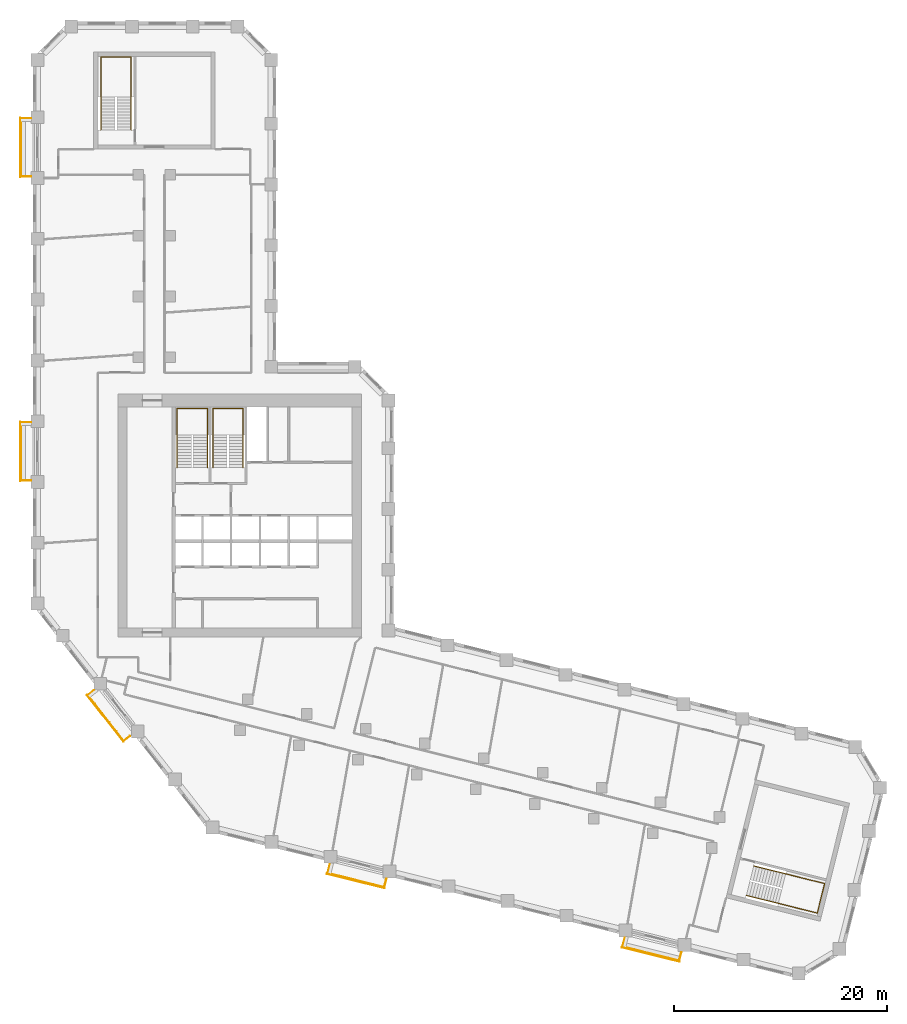
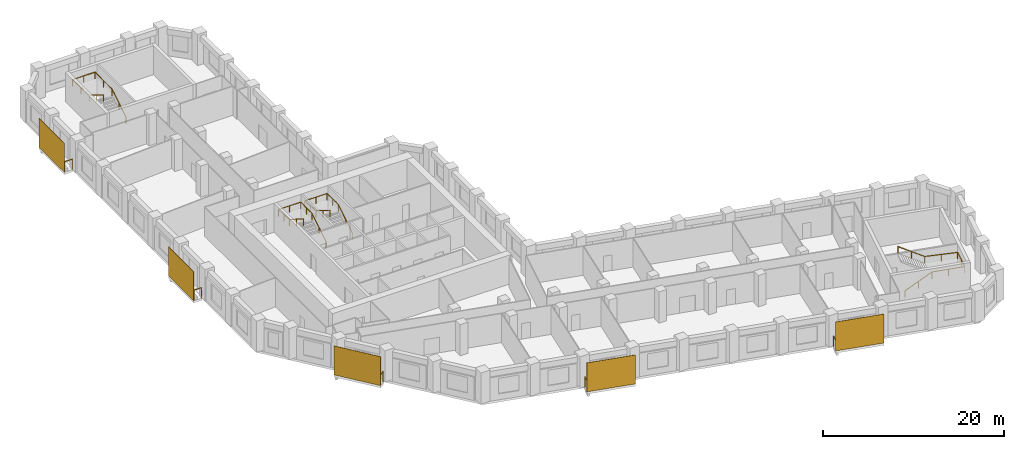
# One storey, part 10 of 10: 9 railings, 5 shading devices.
"""IFC4 building model written with IfcOpenShell, lengths in metres."""

from ifc_helpers import new_model, si_unit, direction, frame, origin, origin_2d, place, context, subcontext, project, spatial, rectangle, circle, extrude, material, layer, layer_set, type_object, element, save


model = new_model("IFC4")

# Units and contexts
model_context = context("Model", 3, precision=1e-05, world=origin(), true_north=direction((0.0, 1.0)))
body_context = subcontext(model_context, "Body", "Model", "MODEL_VIEW")
ifc_project = project(units=[si_unit("LENGTHUNIT", "METRE"), si_unit("AREAUNIT", "SQUARE_METRE"), si_unit("VOLUMEUNIT", "CUBIC_METRE"), si_unit("PLANEANGLEUNIT", "RADIAN"), si_unit("MASSUNIT", "GRAM", prefix="KILO")], contexts=[model_context])

# Site, building, storey
site_placement = place(None, origin())
site = spatial("IfcSite", under=ifc_project, at=site_placement, CompositionType="ELEMENT")
building_placement = place(site_placement, origin())
building = spatial("IfcBuilding", under=site, at=building_placement, Name="Meshkara Civic Tower", CompositionType="ELEMENT")
storey_placement = place(building_placement, frame((0.0, 0.0, 199.199951171875)))
storey = spatial("IfcBuildingStorey", under=building, at=storey_placement, Name="L45", CompositionType="ELEMENT", Elevation=199.199951171875)

# Railings
ifc_material_1 = material(Name="Steel S355", Category="steel")
railing_type_1 = type_object("IfcRailingType", Name="BALUSTRADE GUARD 1400", PredefinedType="BALUSTRADE", material=ifc_material_1)
for number, where, name in (
    (1, (-0.14990234375, 62.735107421875, 0.0), "Balcony guard"),
    (2, (-0.14990234375, 34.235107421875, 0.0), "Balcony guard"),
):
    element("IfcRailing", number, at=place(storey_placement, frame(where)), inside=storey, type_object=railing_type_1, Name=name, PredefinedType="BALUSTRADE", context=body_context, shape_type="SweptSolid", body=[
        extrude(circle(Radius=0.02392578125, at=origin_2d()), frame((0.0, 0.0, 1.3759765625), z_axis=(-1.0, 0.0, 0.0), x_axis=(0.0, -1.0, 0.0)), (0.0, 0.0, 1.0), 0.960205078125),
        extrude(circle(Radius=0.02392578125, at=origin_2d()), frame((-0.960205078125, 0.0, 1.3759765625), z_axis=(0.0, -1.0, 0.0), x_axis=(1.0, 0.0, 0.0)), (0.0, 0.0, 1.0), 5.460205078125),
        extrude(circle(Radius=0.02392578125, at=origin_2d()), frame((-0.960205078125, -5.460205078125, 1.3759765625), z_axis=(1.0, 0.0, 0.0), x_axis=(0.0, 1.0, 0.0)), (0.0, 0.0, 1.0), 0.960205078125),
        extrude(circle(Radius=0.02099609375, at=origin_2d()), origin(), (0.0, 0.0, 1.0), 1.351806640625),
        extrude(circle(Radius=0.02099609375, at=origin_2d()), frame((-0.960205078125, 0.0, 0.0)), (0.0, 0.0, 1.0), 1.351806640625),
        extrude(circle(Radius=0.02099609375, at=origin_2d()), frame((-0.960205078125, -1.092041015625, 0.0)), (0.0, 0.0, 1.0), 1.351806640625),
        extrude(circle(Radius=0.02099609375, at=origin_2d()), frame((-0.960205078125, -2.18408203125, 0.0)), (0.0, 0.0, 1.0), 1.351806640625),
        extrude(circle(Radius=0.02099609375, at=origin_2d()), frame((-0.960205078125, -3.276123046875, 0.0)), (0.0, 0.0, 1.0), 1.351806640625),
        extrude(circle(Radius=0.02099609375, at=origin_2d()), frame((-0.960205078125, -4.3681640625, 0.0)), (0.0, 0.0, 1.0), 1.351806640625),
        extrude(circle(Radius=0.02099609375, at=origin_2d()), frame((-0.960205078125, -5.460205078125, 0.0)), (0.0, 0.0, 1.0), 1.351806640625),
        extrude(circle(Radius=0.02099609375, at=origin_2d()), frame((0.0, -5.460205078125, 0.0)), (0.0, 0.0, 1.0), 1.351806640625),
    ])
railing_1_placement = place(storey_placement, frame((5.73388671875, 9.1240234375, 0.0)))
element("IfcRailing", 3, at=railing_1_placement, inside=storey, type_object=railing_type_1, Name="Balcony guard", PredefinedType="BALUSTRADE", context=body_context, shape_type="SweptSolid", body=[
    extrude(circle(Radius=0.02392578125, at=origin_2d()), frame((0.0, 0.0, 1.3759765625), z_axis=(-0.788014065721, -0.615657235989, 0.0), x_axis=(0.615657235989, -0.788014065721, 0.0)), (0.0, 0.0, 1.0), 0.71826171875),
    extrude(circle(Radius=0.02392578125, at=origin_2d()), frame((-0.56591796875, -0.442138671875, 1.3759765625), z_axis=(0.615684818606, -0.787992515281, 0.0), x_axis=(0.787992515281, 0.615684818606, 0.0)), (0.0, 0.0, 1.0), 5.460693359375),
    extrude(circle(Radius=0.02392578125, at=origin_2d()), frame((2.796142578125, -4.7451171875, 1.3759765625), z_axis=(0.788014065721, 0.615657235989, 0.0), x_axis=(-0.615657235989, 0.788014065721, 0.0)), (0.0, 0.0, 1.0), 0.71826171875),
    extrude(circle(Radius=0.02099609375, at=origin_2d()), origin(), (0.0, 0.0, 1.0), 1.351806640625),
    extrude(circle(Radius=0.02099609375, at=origin_2d()), frame((-0.56591796875, -0.442138671875, 0.0)), (0.0, 0.0, 1.0), 1.351806640625),
    extrude(circle(Radius=0.02099609375, at=origin_2d()), frame((0.1064453125, -1.302734375, 0.0)), (0.0, 0.0, 1.0), 1.351806640625),
    extrude(circle(Radius=0.02099609375, at=origin_2d()), frame((0.77880859375, -2.163330078125, 0.0)), (0.0, 0.0, 1.0), 1.351806640625),
    extrude(circle(Radius=0.02099609375, at=origin_2d()), frame((1.451416015625, -3.02392578125, 0.0)), (0.0, 0.0, 1.0), 1.351806640625),
    extrude(circle(Radius=0.02099609375, at=origin_2d()), frame((2.123779296875, -3.884521484375, 0.0)), (0.0, 0.0, 1.0), 1.351806640625),
    extrude(circle(Radius=0.02099609375, at=origin_2d()), frame((2.796142578125, -4.7451171875, 0.0)), (0.0, 0.0, 1.0), 1.351806640625),
    extrude(circle(Radius=0.02099609375, at=origin_2d()), frame((3.362060546875, -4.302978515625, 0.0)), (0.0, 0.0, 1.0), 1.351806640625),
])
railing_2_placement = place(storey_placement, frame((27.85302734375, -7.22998046875, 0.0)))
element("IfcRailing", 4, at=railing_2_placement, inside=storey, type_object=railing_type_1, Name="Balcony guard", PredefinedType="BALUSTRADE", context=body_context, shape_type="SweptSolid", body=[
    extrude(circle(Radius=0.02392578125, at=origin_2d()), frame((0.0, 0.0, 1.3759765625), z_axis=(-0.242673544463, -0.970108009872, 0.0), x_axis=(0.970108009872, -0.242673544463, 0.0)), (0.0, 0.0, 1.0), 0.8330078125),
    extrude(circle(Radius=0.02392578125, at=origin_2d()), frame((-0.2021484375, -0.80810546875, 1.3759765625), z_axis=(0.970302726319, -0.241893818229, 0.0), x_axis=(0.241893818229, 0.970302726319, 0.0)), (0.0, 0.0, 1.0), 5.460205078125),
    extrude(circle(Radius=0.02392578125, at=origin_2d()), frame((5.095947265625, -2.12890625, 1.3759765625), z_axis=(0.242466638965, 0.970159744057, 0.0), x_axis=(-0.970159744057, 0.242466638965, 0.0)), (0.0, 0.0, 1.0), 0.832763671875),
    extrude(circle(Radius=0.02099609375, at=origin_2d()), origin(), (0.0, 0.0, 1.0), 1.351806640625),
    extrude(circle(Radius=0.02099609375, at=origin_2d()), frame((-0.2021484375, -0.80810546875, 0.0)), (0.0, 0.0, 1.0), 1.351806640625),
    extrude(circle(Radius=0.02099609375, at=origin_2d()), frame((0.857421875, -1.072265625, 0.0)), (0.0, 0.0, 1.0), 1.351806640625),
    extrude(circle(Radius=0.02099609375, at=origin_2d()), frame((1.9169921875, -1.33642578125, 0.0)), (0.0, 0.0, 1.0), 1.351806640625),
    extrude(circle(Radius=0.02099609375, at=origin_2d()), frame((2.976806640625, -1.6005859375, 0.0)), (0.0, 0.0, 1.0), 1.351806640625),
    extrude(circle(Radius=0.02099609375, at=origin_2d()), frame((4.036376953125, -1.86474609375, 0.0)), (0.0, 0.0, 1.0), 1.351806640625),
    extrude(circle(Radius=0.02099609375, at=origin_2d()), frame((5.095947265625, -2.12890625, 0.0)), (0.0, 0.0, 1.0), 1.351806640625),
    extrude(circle(Radius=0.02099609375, at=origin_2d()), frame((5.2978515625, -1.321044921875, 0.0)), (0.0, 0.0, 1.0), 1.351806640625),
])
railing_3_placement = place(storey_placement, frame((55.506103515625, -14.125, 0.0)))
element("IfcRailing", 5, at=railing_3_placement, inside=storey, type_object=railing_type_1, Name="Balcony guard", PredefinedType="BALUSTRADE", context=body_context, shape_type="SweptSolid", body=[
    extrude(circle(Radius=0.02392578125, at=origin_2d()), frame((0.0, 0.0, 1.3759765625), z_axis=(-0.241569777604, -0.970383451296, 0.0), x_axis=(0.970383451296, -0.241569777604, 0.0)), (0.0, 0.0, 1.0), 0.832763671875),
    extrude(circle(Radius=0.02392578125, at=origin_2d()), frame((-0.201171875, -0.80810546875, 1.3759765625), z_axis=(0.970302726319, -0.241893818229, 0.0), x_axis=(0.241893818229, 0.970302726319, 0.0)), (0.0, 0.0, 1.0), 5.460205078125),
    extrude(circle(Radius=0.02392578125, at=origin_2d()), frame((5.096923828125, -2.12890625, 1.3759765625), z_axis=(0.242466638965, 0.970159744057, 0.0), x_axis=(-0.970159744057, 0.242466638965, 0.0)), (0.0, 0.0, 1.0), 0.832763671875),
    extrude(circle(Radius=0.02099609375, at=origin_2d()), origin(), (0.0, 0.0, 1.0), 1.351806640625),
    extrude(circle(Radius=0.02099609375, at=origin_2d()), frame((-0.201171875, -0.80810546875, 0.0)), (0.0, 0.0, 1.0), 1.351806640625),
    extrude(circle(Radius=0.02099609375, at=origin_2d()), frame((0.8583984375, -1.072265625, 0.0)), (0.0, 0.0, 1.0), 1.351806640625),
    extrude(circle(Radius=0.02099609375, at=origin_2d()), frame((1.91796875, -1.33642578125, 0.0)), (0.0, 0.0, 1.0), 1.351806640625),
    extrude(circle(Radius=0.02099609375, at=origin_2d()), frame((2.977783203125, -1.6005859375, 0.0)), (0.0, 0.0, 1.0), 1.351806640625),
    extrude(circle(Radius=0.02099609375, at=origin_2d()), frame((4.037353515625, -1.86474609375, 0.0)), (0.0, 0.0, 1.0), 1.351806640625),
    extrude(circle(Radius=0.02099609375, at=origin_2d()), frame((5.096923828125, -2.12890625, 0.0)), (0.0, 0.0, 1.0), 1.351806640625),
    extrude(circle(Radius=0.02099609375, at=origin_2d()), frame((5.298828125, -1.321044921875, 0.0)), (0.0, 0.0, 1.0), 1.351806640625),
])

# Shading devices
ifc_material_2 = material(Name="Perforated bronze anodised aluminium sheet", Category="aluminium")
ifc_layer = layer(ifc_material_2, 0.0400390625)
ifc_layer_set = layer_set([ifc_layer], Name="PERFORATED BRONZE SCREEN")
shading_device_type = type_object("IfcShadingDeviceType", Name="PERFORATED BRONZE SCREEN", PredefinedType="USERDEFINED", material=ifc_layer_set)
for number, where, z_axis, x_axis, name in (
    (6, (-1.179931640625, 60.0048828125, 0.0), (0.0, 0.0, 1.0), (0.0, -1.0, 0.0), "Balcony screen"),
    (7, (-1.179931640625, 31.5048828125, 0.0), (0.0, 0.0, 1.0), (0.0, -1.0, 0.0), "Balcony screen"),
):
    element("IfcShadingDevice", number, at=place(storey_placement, frame(where, z_axis=z_axis, x_axis=x_axis)), inside=storey, type_object=shading_device_type, Name=name, ObjectType="SCREEN", PredefinedType="USERDEFINED", context=body_context, shape_type="SweptSolid", body=[
        extrude(rectangle(XDim=5.580078125, YDim=0.0400390625, at=origin_2d()), origin(), (0.0, 0.0, 1.0), 3.89990234375),
    ])
shading_device_placement = place(storey_placement, frame((6.7939453125, 6.488037109375, 0.0), z_axis=(0.0, 0.0, 1.0), x_axis=(0.615661475326, -0.788010753607, 0.0)))
element("IfcShadingDevice", 8, at=shading_device_placement, inside=storey, type_object=shading_device_type, Name="Balcony screen", ObjectType="SCREEN", PredefinedType="USERDEFINED", context=body_context, shape_type="SweptSolid", body=[
    extrude(rectangle(XDim=5.5810546875, YDim=0.0400390625, at=origin_2d()), origin(), (0.0, 0.0, 1.0), 3.89990234375),
])
for number, where, z_axis, x_axis, name in (
    (9, (30.282958984375, -8.76708984375, 0.0), (0.0, 0.0, 1.0), (0.970299948462, -0.241904960708, 0.0), "Balcony screen"),
    (10, (57.93701171875, -15.660888671875, 0.0), (0.0, 0.0, 1.0), (0.970299948462, -0.241904960708, 0.0), "Balcony screen"),
):
    element("IfcShadingDevice", number, at=place(storey_placement, frame(where, z_axis=z_axis, x_axis=x_axis)), inside=storey, type_object=shading_device_type, Name=name, ObjectType="SCREEN", PredefinedType="USERDEFINED", context=body_context, shape_type="SweptSolid", body=[
        extrude(rectangle(XDim=5.580078125, YDim=0.0400390625, at=origin_2d()), origin(), (0.0, 0.0, 1.0), 3.89990234375),
    ])

# Railings
ifc_material_3 = material(Name="Steel handrail", Category="steel")
railing_type_2 = type_object("IfcRailingType", Name="Stair handrail 900", PredefinedType="HANDRAIL", material=ifc_material_3)
railing_4_placement = place(storey_placement, frame((16.375, 30.0, 0.175048828125)))
element("IfcRailing", 11, at=railing_4_placement, inside=storey, type_object=railing_type_2, Name="L45 ST1 stair handrail 1", PredefinedType="HANDRAIL", context=body_context, shape_type="SweptSolid", body=[
    extrude(circle(Radius=0.02392578125, at=origin_2d()), frame((0.0, 0.0, 0.8759765625), z_axis=(0.0, 0.847998304005, 0.529998940003), x_axis=(-1.0, 0.0, 0.0)), (0.0, 0.0, 1.0), 3.632080078125),
    extrude(circle(Radius=0.02392578125, at=origin_2d()), frame((0.0, 3.080078125, 2.80078125), z_axis=(0.0, 1.0, 0.0), x_axis=(-1.0, 0.0, 0.0)), (0.0, 0.0, 1.0), 2.469970703125),
    extrude(circle(Radius=0.02392578125, at=origin_2d()), frame((0.0, 5.550048828125, 2.80078125), z_axis=(-1.0, 0.0, 0.0), x_axis=(0.0, -1.0, 0.0)), (0.0, 0.0, 1.0), 2.85009765625),
    extrude(circle(Radius=0.02392578125, at=origin_2d()), frame((-2.85009765625, 5.550048828125, 2.80078125), z_axis=(0.0, -0.997498084828, 0.070693498747), x_axis=(1.0, 0.0, 0.0)), (0.0, 0.0, 1.0), 2.47607421875),
    extrude(circle(Radius=0.02392578125, at=origin_2d()), frame((-2.85009765625, 3.080078125, 2.97607421875), z_axis=(0.0, -0.848028513186, 0.529950602248), x_axis=(1.0, 0.0, 0.0)), (0.0, 0.0, 1.0), 3.632080078125),
    extrude(circle(Radius=0.02099609375, at=origin_2d()), origin(), (0.0, 0.0, 1.0), 0.851806640625),
    extrude(circle(Radius=0.02099609375, at=origin_2d()), frame((0.0, 1.5400390625, 0.96240234375)), (0.0, 0.0, 1.0), 0.851806640625),
    extrude(circle(Radius=0.02099609375, at=origin_2d()), frame((0.0, 3.080078125, 1.925048828125)), (0.0, 0.0, 1.0), 0.851806640625),
    extrude(circle(Radius=0.02099609375, at=origin_2d()), frame((0.0, 4.31494140625, 1.925048828125)), (0.0, 0.0, 1.0), 0.851806640625),
    extrude(circle(Radius=0.02099609375, at=origin_2d()), frame((0.0, 5.550048828125, 1.925048828125)), (0.0, 0.0, 1.0), 0.851806640625),
    extrude(circle(Radius=0.02099609375, at=origin_2d()), frame((-1.425048828125, 5.550048828125, 1.925048828125)), (0.0, 0.0, 1.0), 0.851806640625),
    extrude(circle(Radius=0.02099609375, at=origin_2d()), frame((-2.85009765625, 5.550048828125, 1.925048828125)), (0.0, 0.0, 1.0), 0.851806640625),
    extrude(circle(Radius=0.02099609375, at=origin_2d()), frame((-2.85009765625, 4.31494140625, 2.0126953125)), (0.0, 0.0, 1.0), 0.851806640625),
    extrude(circle(Radius=0.02099609375, at=origin_2d()), frame((-2.85009765625, 3.080078125, 2.10009765625)), (0.0, 0.0, 1.0), 0.851806640625),
    extrude(circle(Radius=0.02099609375, at=origin_2d()), frame((-2.85009765625, 1.5400390625, 3.0625)), (0.0, 0.0, 1.0), 0.851806640625),
    extrude(circle(Radius=0.02099609375, at=origin_2d()), frame((-2.85009765625, 0.0, 4.02490234375)), (0.0, 0.0, 1.0), 0.851806640625),
])
railing_5_placement = place(storey_placement, frame((19.72509765625, 30.0, 0.175048828125)))
element("IfcRailing", 12, at=railing_5_placement, inside=storey, type_object=railing_type_2, Name="L45 ST2 stair handrail 1", PredefinedType="HANDRAIL", context=body_context, shape_type="SweptSolid", body=[
    extrude(circle(Radius=0.02392578125, at=origin_2d()), frame((0.0, 0.0, 0.8759765625), z_axis=(0.0, 0.847998304005, 0.529998940003), x_axis=(-1.0, 0.0, 0.0)), (0.0, 0.0, 1.0), 3.632080078125),
    extrude(circle(Radius=0.02392578125, at=origin_2d()), frame((0.0, 3.080078125, 2.80078125), z_axis=(0.0, 1.0, 0.0), x_axis=(-1.0, 0.0, 0.0)), (0.0, 0.0, 1.0), 2.469970703125),
    extrude(circle(Radius=0.02392578125, at=origin_2d()), frame((0.0, 5.550048828125, 2.80078125), z_axis=(-1.0, 0.0, 0.0), x_axis=(0.0, -1.0, 0.0)), (0.0, 0.0, 1.0), 2.85009765625),
    extrude(circle(Radius=0.02392578125, at=origin_2d()), frame((-2.85009765625, 5.550048828125, 2.80078125), z_axis=(0.0, -0.997498084828, 0.070693498747), x_axis=(1.0, 0.0, 0.0)), (0.0, 0.0, 1.0), 2.47607421875),
    extrude(circle(Radius=0.02392578125, at=origin_2d()), frame((-2.85009765625, 3.080078125, 2.97607421875), z_axis=(0.0, -0.848028513186, 0.529950602248), x_axis=(1.0, 0.0, 0.0)), (0.0, 0.0, 1.0), 3.632080078125),
    extrude(circle(Radius=0.02099609375, at=origin_2d()), origin(), (0.0, 0.0, 1.0), 0.851806640625),
    extrude(circle(Radius=0.02099609375, at=origin_2d()), frame((0.0, 1.5400390625, 0.96240234375)), (0.0, 0.0, 1.0), 0.851806640625),
    extrude(circle(Radius=0.02099609375, at=origin_2d()), frame((0.0, 3.080078125, 1.925048828125)), (0.0, 0.0, 1.0), 0.851806640625),
    extrude(circle(Radius=0.02099609375, at=origin_2d()), frame((0.0, 4.31494140625, 1.925048828125)), (0.0, 0.0, 1.0), 0.851806640625),
    extrude(circle(Radius=0.02099609375, at=origin_2d()), frame((0.0, 5.550048828125, 1.925048828125)), (0.0, 0.0, 1.0), 0.851806640625),
    extrude(circle(Radius=0.02099609375, at=origin_2d()), frame((-1.425048828125, 5.550048828125, 1.925048828125)), (0.0, 0.0, 1.0), 0.851806640625),
    extrude(circle(Radius=0.02099609375, at=origin_2d()), frame((-2.85009765625, 5.550048828125, 1.925048828125)), (0.0, 0.0, 1.0), 0.851806640625),
    extrude(circle(Radius=0.02099609375, at=origin_2d()), frame((-2.85009765625, 4.31494140625, 2.0126953125)), (0.0, 0.0, 1.0), 0.851806640625),
    extrude(circle(Radius=0.02099609375, at=origin_2d()), frame((-2.85009765625, 3.080078125, 2.10009765625)), (0.0, 0.0, 1.0), 0.851806640625),
    extrude(circle(Radius=0.02099609375, at=origin_2d()), frame((-2.85009765625, 1.5400390625, 3.0625)), (0.0, 0.0, 1.0), 0.851806640625),
    extrude(circle(Radius=0.02099609375, at=origin_2d()), frame((-2.85009765625, 0.0, 4.02490234375)), (0.0, 0.0, 1.0), 0.851806640625),
])
railing_6_placement = place(storey_placement, frame((9.22509765625, 61.669921875, 0.175048828125)))
element("IfcRailing", 13, at=railing_6_placement, inside=storey, type_object=railing_type_2, Name="L45 ESA3 stair handrail 1", PredefinedType="HANDRAIL", context=body_context, shape_type="SweptSolid", body=[
    extrude(circle(Radius=0.02392578125, at=origin_2d()), frame((0.0, 0.0, 0.8759765625), z_axis=(0.0, 0.847998304005, 0.529998940003), x_axis=(-1.0, 0.0, 0.0)), (0.0, 0.0, 1.0), 3.632080078125),
    extrude(circle(Radius=0.02392578125, at=origin_2d()), frame((0.0, 3.080078125, 2.80078125), z_axis=(0.0, 1.0, 0.0), x_axis=(-1.0, 0.0, 0.0)), (0.0, 0.0, 1.0), 3.77001953125),
    extrude(circle(Radius=0.02392578125, at=origin_2d()), frame((0.0, 6.85009765625, 2.80078125), z_axis=(-1.0, 0.0, 0.0), x_axis=(0.0, -1.0, 0.0)), (0.0, 0.0, 1.0), 2.85009765625),
    extrude(circle(Radius=0.02392578125, at=origin_2d()), frame((-2.85009765625, 6.85009765625, 2.80078125), z_axis=(0.0, -0.9989237834, 0.046381838667), x_axis=(1.0, 0.0, 0.0)), (0.0, 0.0, 1.0), 3.774169921875),
    extrude(circle(Radius=0.02392578125, at=origin_2d()), frame((-2.85009765625, 3.080078125, 2.97607421875), z_axis=(0.0, -0.848028513186, 0.529950602248), x_axis=(1.0, 0.0, 0.0)), (0.0, 0.0, 1.0), 3.632080078125),
    extrude(circle(Radius=0.02099609375, at=origin_2d()), origin(), (0.0, 0.0, 1.0), 0.851806640625),
    extrude(circle(Radius=0.02099609375, at=origin_2d()), frame((0.0, 1.5400390625, 0.96240234375)), (0.0, 0.0, 1.0), 0.851806640625),
    extrude(circle(Radius=0.02099609375, at=origin_2d()), frame((0.0, 3.080078125, 1.925048828125)), (0.0, 0.0, 1.0), 0.851806640625),
    extrude(circle(Radius=0.02099609375, at=origin_2d()), frame((0.0, 4.965087890625, 1.925048828125)), (0.0, 0.0, 1.0), 0.851806640625),
    extrude(circle(Radius=0.02099609375, at=origin_2d()), frame((0.0, 6.85009765625, 1.925048828125)), (0.0, 0.0, 1.0), 0.851806640625),
    extrude(circle(Radius=0.02099609375, at=origin_2d()), frame((-1.425048828125, 6.85009765625, 1.925048828125)), (0.0, 0.0, 1.0), 0.851806640625),
    extrude(circle(Radius=0.02099609375, at=origin_2d()), frame((-2.85009765625, 6.85009765625, 1.925048828125)), (0.0, 0.0, 1.0), 0.851806640625),
    extrude(circle(Radius=0.02099609375, at=origin_2d()), frame((-2.85009765625, 4.965087890625, 2.0126953125)), (0.0, 0.0, 1.0), 0.851806640625),
    extrude(circle(Radius=0.02099609375, at=origin_2d()), frame((-2.85009765625, 3.080078125, 2.10009765625)), (0.0, 0.0, 1.0), 0.851806640625),
    extrude(circle(Radius=0.02099609375, at=origin_2d()), frame((-2.85009765625, 1.5400390625, 3.0625)), (0.0, 0.0, 1.0), 0.851806640625),
    extrude(circle(Radius=0.02099609375, at=origin_2d()), frame((-2.85009765625, 0.0, 4.02490234375)), (0.0, 0.0, 1.0), 0.851806640625),
])
railing_7_placement = place(storey_placement, frame((66.910888671875, -10.1123046875, 0.175048828125)))
element("IfcRailing", 14, at=railing_7_placement, inside=storey, type_object=railing_type_2, Name="L45 ESB3 stair handrail 1", PredefinedType="HANDRAIL", context=body_context, shape_type="SweptSolid", body=[
    extrude(circle(Radius=0.02392578125, at=origin_2d()), frame((0.0, 0.0, 0.8759765625), z_axis=(0.822816010835, -0.205082235851, 0.530014234575), x_axis=(0.241845469214, 0.970314778317, 0.0)), (0.0, 0.0, 1.0), 3.632080078125),
    extrude(circle(Radius=0.02392578125, at=origin_2d()), frame((2.988525390625, -0.744873046875, 2.80078125), z_axis=(0.970325068916, -0.241804178279, 0.0), x_axis=(0.241804178279, 0.970325068916, 0.0)), (0.0, 0.0, 1.0), 3.77001953125),
    extrude(circle(Radius=0.02392578125, at=origin_2d()), frame((6.646728515625, -1.656494140625, 2.80078125), z_axis=(0.24183009087, 0.970318611153, 0.0), x_axis=(-0.970318611153, 0.24183009087, 0.0)), (0.0, 0.0, 1.0), 2.849853515625),
    extrude(circle(Radius=0.02392578125, at=origin_2d()), frame((7.3359375, 1.10888671875, 2.80078125), z_axis=(-0.969280822407, 0.241543952941, 0.046381096481), x_axis=(-0.241804178279, -0.970325068916, 0.0)), (0.0, 0.0, 1.0), 3.774169921875),
    extrude(circle(Radius=0.02392578125, at=origin_2d()), frame((3.677734375, 2.0205078125, 2.97607421875), z_axis=(-0.822845324611, 0.205089542144, 0.529965896515), x_axis=(-0.241845469214, -0.970314778317, 0.0)), (0.0, 0.0, 1.0), 3.6318359375),
    extrude(circle(Radius=0.02099609375, at=origin_2d()), origin(), (0.0, 0.0, 1.0), 0.851806640625),
    extrude(circle(Radius=0.02099609375, at=origin_2d()), frame((1.494140625, -0.37255859375, 0.96240234375)), (0.0, 0.0, 1.0), 0.851806640625),
    extrude(circle(Radius=0.02099609375, at=origin_2d()), frame((2.988525390625, -0.744873046875, 1.925048828125)), (0.0, 0.0, 1.0), 0.851806640625),
    extrude(circle(Radius=0.02099609375, at=origin_2d()), frame((4.817626953125, -1.20068359375, 1.925048828125)), (0.0, 0.0, 1.0), 0.851806640625),
    extrude(circle(Radius=0.02099609375, at=origin_2d()), frame((6.646728515625, -1.656494140625, 1.925048828125)), (0.0, 0.0, 1.0), 0.851806640625),
    extrude(circle(Radius=0.02099609375, at=origin_2d()), frame((6.9912109375, -0.27392578125, 1.925048828125)), (0.0, 0.0, 1.0), 0.851806640625),
    extrude(circle(Radius=0.02099609375, at=origin_2d()), frame((7.3359375, 1.10888671875, 1.925048828125)), (0.0, 0.0, 1.0), 0.851806640625),
    extrude(circle(Radius=0.02099609375, at=origin_2d()), frame((5.5068359375, 1.564697265625, 2.0126953125)), (0.0, 0.0, 1.0), 0.851806640625),
    extrude(circle(Radius=0.02099609375, at=origin_2d()), frame((3.677734375, 2.0205078125, 2.10009765625)), (0.0, 0.0, 1.0), 0.851806640625),
    extrude(circle(Radius=0.02099609375, at=origin_2d()), frame((2.18359375, 2.39306640625, 3.0625)), (0.0, 0.0, 1.0), 0.851806640625),
    extrude(circle(Radius=0.02099609375, at=origin_2d()), frame((0.689208984375, 2.765380859375, 4.02490234375)), (0.0, 0.0, 1.0), 0.851806640625),
])

save(model, "model.ifc")
